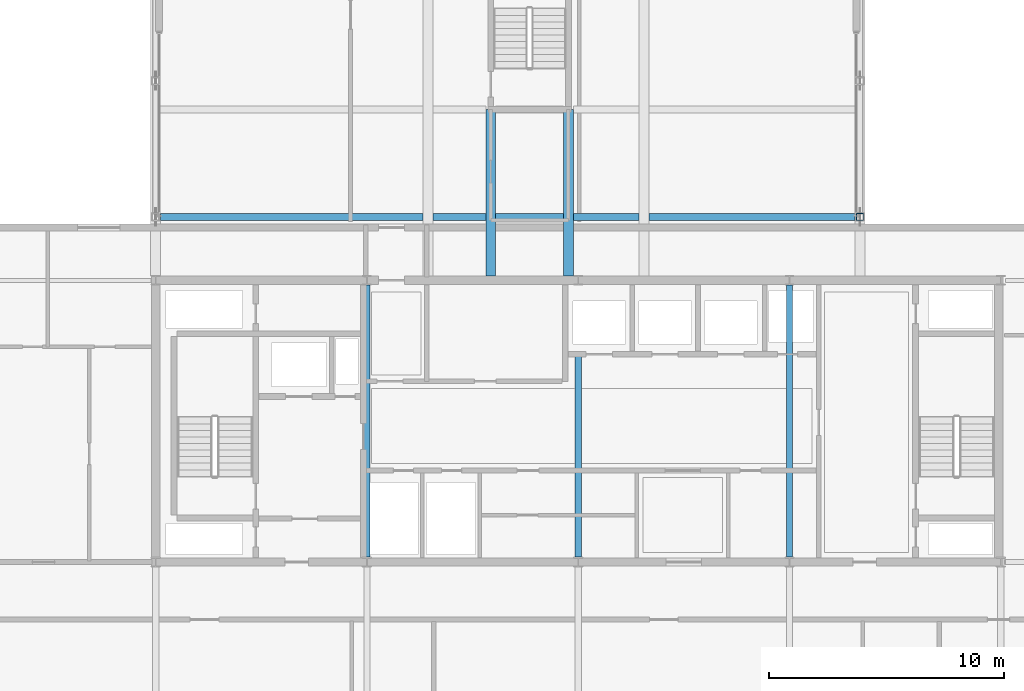
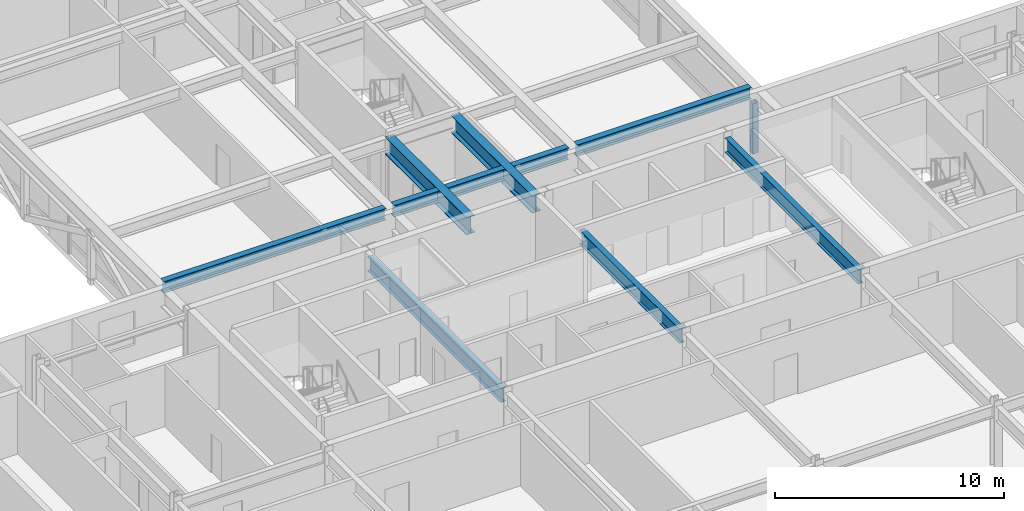
# One storey, part 7 of 35: 10 beams, 1 member.
"""IFC4 building model written with IfcOpenShell, lengths in metres."""

from ifc_helpers import new_model, si_unit, direction, frame, origin, origin_2d, place, context, subcontext, project, spatial, hollow_rectangle, i_section, extrude, material, material_profile, profile_set, type_object, element, save


model = new_model("IFC4")

# Units and contexts
model_context = context("Model", 3, precision=1e-05, world=origin(), true_north=direction((0.0, 1.0)))
body_context = subcontext(model_context, "Body", "Model", "MODEL_VIEW")
ifc_project = project(units=[si_unit("LENGTHUNIT", "METRE"), si_unit("AREAUNIT", "SQUARE_METRE"), si_unit("VOLUMEUNIT", "CUBIC_METRE"), si_unit("PLANEANGLEUNIT", "RADIAN"), si_unit("MASSUNIT", "GRAM", prefix="KILO")], contexts=[model_context])

# Site, building, storey
site_placement = place(None, origin())
site = spatial("IfcSite", under=ifc_project, at=site_placement, CompositionType="ELEMENT")
building_placement = place(site_placement, origin())
building = spatial("IfcBuilding", under=site, at=building_placement, Name="Korimba Cascade Residences", CompositionType="ELEMENT")
storey_placement = place(building_placement, frame((0.0, 0.0, 150.10009765625)))
storey = spatial("IfcBuildingStorey", under=building, at=storey_placement, Name="L43", CompositionType="ELEMENT", Elevation=150.10009765625)

# Beams
ifc_material_1 = material(Name="Steel S355", Category="steel")
ifc_material_profile_1 = material_profile(ifc_material_1, i_section(OverallWidth=0.30712890625, OverallDepth=0.6201171875, WebThickness=0.01416015625, FlangeThickness=0.023681640625, FilletRadius=0.0166015625, at=origin_2d()), Name="Steel S355")
ifc_profile_set_1 = profile_set([ifc_material_profile_1], Name="Steel S355")
beam_type_1 = type_object("IfcBeamType", Name="BM-STL-UB610A", PredefinedType="BEAM", material=ifc_profile_set_1)
beam_1_placement = place(storey_placement, frame((82.30908203125, 33.10009765625, 2.999755859375), z_axis=(1.0, 0.0, 0.0), x_axis=(0.0, 1.0, 0.0)))
element("IfcBeam", 1, at=beam_1_placement, inside=storey, type_object=beam_type_1, Name="L43 Mid-Bridge Cross Beam 33.1", PredefinedType="BEAM", context=body_context, shape_type="SweptSolid", body=[
    extrude(i_section(OverallWidth=0.30712890625, OverallDepth=0.6201171875, WebThickness=0.01416015625, FlangeThickness=0.023681640625, FilletRadius=0.0166015625, at=origin_2d()), origin(), (0.0, 0.0, 1.0), 11.181884765625),
])
beam_2_placement = place(storey_placement, frame((93.908935546875, 33.10009765625, 2.999755859375), z_axis=(1.0, 0.0, 0.0), x_axis=(0.0, 1.0, 0.0)))
element("IfcBeam", 2, at=beam_2_placement, inside=storey, type_object=beam_type_1, Name="L43 Mid-Bridge Cross Beam 33.2", PredefinedType="BEAM", context=body_context, shape_type="SweptSolid", body=[
    extrude(i_section(OverallWidth=0.30712890625, OverallDepth=0.6201171875, WebThickness=0.01416015625, FlangeThickness=0.023681640625, FilletRadius=0.0166015625, at=origin_2d()), origin(), (0.0, 0.0, 1.0), 2.257080078125),
])
beam_3_placement = place(storey_placement, frame((96.583984375, 33.10009765625, 2.999755859375), z_axis=(1.0, 0.0, 0.0), x_axis=(0.0, 1.0, 0.0)))
element("IfcBeam", 3, at=beam_3_placement, inside=storey, type_object=beam_type_1, Name="L43 Mid-Bridge Cross Beam 33.3", PredefinedType="BEAM", context=body_context, shape_type="SweptSolid", body=[
    extrude(i_section(OverallWidth=0.30712890625, OverallDepth=0.6201171875, WebThickness=0.01416015625, FlangeThickness=0.023681640625, FilletRadius=0.0166015625, at=origin_2d()), origin(), (0.0, 0.0, 1.0), 2.89208984375),
])
beam_4_placement = place(storey_placement, frame((99.89404296875, 33.10009765625, 2.999755859375), z_axis=(1.0, 0.0, 0.0), x_axis=(0.0, 1.0, 0.0)))
element("IfcBeam", 4, at=beam_4_placement, inside=storey, type_object=beam_type_1, Name="L43 Mid-Bridge Cross Beam 33.4", PredefinedType="BEAM", context=body_context, shape_type="SweptSolid", body=[
    extrude(i_section(OverallWidth=0.30712890625, OverallDepth=0.6201171875, WebThickness=0.01416015625, FlangeThickness=0.023681640625, FilletRadius=0.0166015625, at=origin_2d()), origin(), (0.0, 0.0, 1.0), 2.796875),
])
beam_5_placement = place(storey_placement, frame((103.10888671875, 33.10009765625, 2.999755859375), z_axis=(1.0, 0.0, 0.0), x_axis=(0.0, 1.0, 0.0)))
element("IfcBeam", 5, at=beam_5_placement, inside=storey, type_object=beam_type_1, Name="L43 Mid-Bridge Cross Beam 33.5", PredefinedType="BEAM", context=body_context, shape_type="SweptSolid", body=[
    extrude(i_section(OverallWidth=0.30712890625, OverallDepth=0.6201171875, WebThickness=0.01416015625, FlangeThickness=0.023681640625, FilletRadius=0.0166015625, at=origin_2d()), origin(), (0.0, 0.0, 1.0), 8.7822265625),
])
ifc_material_profile_2 = material_profile(ifc_material_1, i_section(OverallWidth=0.26806640625, OverallDepth=0.769775390625, WebThickness=0.015625, FlangeThickness=0.025390625, FilletRadius=0.0166015625, at=origin_2d()), Name="Steel S355")
ifc_profile_set_2 = profile_set([ifc_material_profile_2], Name="Steel S355")
beam_type_2 = type_object("IfcBeamType", Name="BM-STL-UB762", PredefinedType="BEAM", material=ifc_profile_set_2)
beam_6_placement = place(storey_placement, frame((91.10009765625, 18.603271484375, 2.925048828125), z_axis=(0.0, 1.0, 0.0), x_axis=(-1.0, 0.0, 0.0)))
element("IfcBeam", 6, at=beam_6_placement, inside=storey, type_object=beam_type_2, Name="L43 T2 N-S Girder X3 Seg 3", PredefinedType="BEAM", context=body_context, shape_type="SweptSolid", body=[
    extrude(i_section(OverallWidth=0.26806640625, OverallDepth=0.769775390625, WebThickness=0.015625, FlangeThickness=0.025390625, FilletRadius=0.0166015625, at=origin_2d()), origin(), (0.0, 0.0, 1.0), 11.593505859375),
])
beam_7_placement = place(storey_placement, frame((100.10009765625, 18.603271484375, 2.925048828125), z_axis=(0.0, 1.0, 0.0), x_axis=(-1.0, 0.0, 0.0)))
element("IfcBeam", 7, at=beam_7_placement, inside=storey, type_object=beam_type_2, Name="L43 T2 N-S Girder X4 Seg 3", PredefinedType="BEAM", context=body_context, shape_type="SweptSolid", body=[
    extrude(i_section(OverallWidth=0.26806640625, OverallDepth=0.769775390625, WebThickness=0.015625, FlangeThickness=0.025390625, FilletRadius=0.0166015625, at=origin_2d()), origin(), (0.0, 0.0, 1.0), 8.73681640625),
])
beam_8_placement = place(storey_placement, frame((109.10009765625, 18.603271484375, 2.925048828125), z_axis=(0.0, 1.0, 0.0), x_axis=(-1.0, 0.0, 0.0)))
element("IfcBeam", 8, at=beam_8_placement, inside=storey, type_object=beam_type_2, Name="L43 T2 N-S Girder X5 Seg 3", PredefinedType="BEAM", context=body_context, shape_type="SweptSolid", body=[
    extrude(i_section(OverallWidth=0.26806640625, OverallDepth=0.769775390625, WebThickness=0.015625, FlangeThickness=0.025390625, FilletRadius=0.0166015625, at=origin_2d()), origin(), (0.0, 0.0, 1.0), 11.593505859375),
])
ifc_material_2 = material(Name="Steel S460", Category="steel")
ifc_material_profile_3 = material_profile(ifc_material_2, i_section(OverallWidth=0.42041015625, OverallDepth=0.9208984375, WebThickness=0.021484375, FlangeThickness=0.03662109375, FilletRadius=0.02392578125, at=origin_2d()), Name="Steel S460")
ifc_profile_set_3 = profile_set([ifc_material_profile_3], Name="Steel S460")
beam_type_3 = type_object("IfcBeamType", Name="BM-STL-UB914A", PredefinedType="BEAM", material=ifc_profile_set_3)
for number, where, z_axis, x_axis, name in (
    (9, (96.375, 30.574951171875, 2.849365234375), (0.0, 1.0, 0.0), (-1.0, 0.0, 0.0), "L43 Rigid Mid-Bridge Truss Chord 3"),
    (10, (99.68505859375, 30.574951171875, 2.849365234375), (0.0, 1.0, 0.0), (-1.0, 0.0, 0.0), "L43 Rigid Mid-Bridge Truss Chord 4"),
):
    element("IfcBeam", number, at=place(storey_placement, frame(where, z_axis=z_axis, x_axis=x_axis)), inside=storey, type_object=beam_type_3, Name=name, PredefinedType="BEAM", context=body_context, shape_type="SweptSolid", body=[
        extrude(i_section(OverallWidth=0.42041015625, OverallDepth=0.9208984375, WebThickness=0.021484375, FlangeThickness=0.03662109375, FilletRadius=0.02392578125, at=origin_2d()), origin(), (0.0, 0.0, 1.0), 7.10009765625),
    ])

# Member
ifc_material_profile_4 = material_profile(ifc_material_2, hollow_rectangle(XDim=0.300048828125, YDim=0.300048828125, WallThickness=0.012451171875, InnerFilletRadius=0.012451171875, OuterFilletRadius=0.02490234375, at=origin_2d()), Name="Steel S460")
ifc_profile_set_4 = profile_set([ifc_material_profile_4], Name="Steel S460")
member_type = type_object("IfcMemberType", Name="MEM-BRG-STR300", PredefinedType="STRUT", material=ifc_profile_set_4)
member_placement = place(storey_placement, frame((112.10009765625, 33.10009765625, -0.2900390625), z_axis=(0.0, 0.0, 1.0), x_axis=(1.0, 0.0, 0.0)))
element("IfcMember", 11, at=member_placement, inside=storey, type_object=member_type, Name="L43 Mid-Bridge Warren Web Post E1", PredefinedType="STRUT", context=body_context, shape_type="SweptSolid", body=[
    extrude(hollow_rectangle(XDim=0.300048828125, YDim=0.300048828125, WallThickness=0.012451171875, InnerFilletRadius=0.012451171875, OuterFilletRadius=0.02490234375, at=origin_2d()), origin(), (0.0, 0.0, 1.0), 2.678955078125),
])

save(model, "model.ifc")
